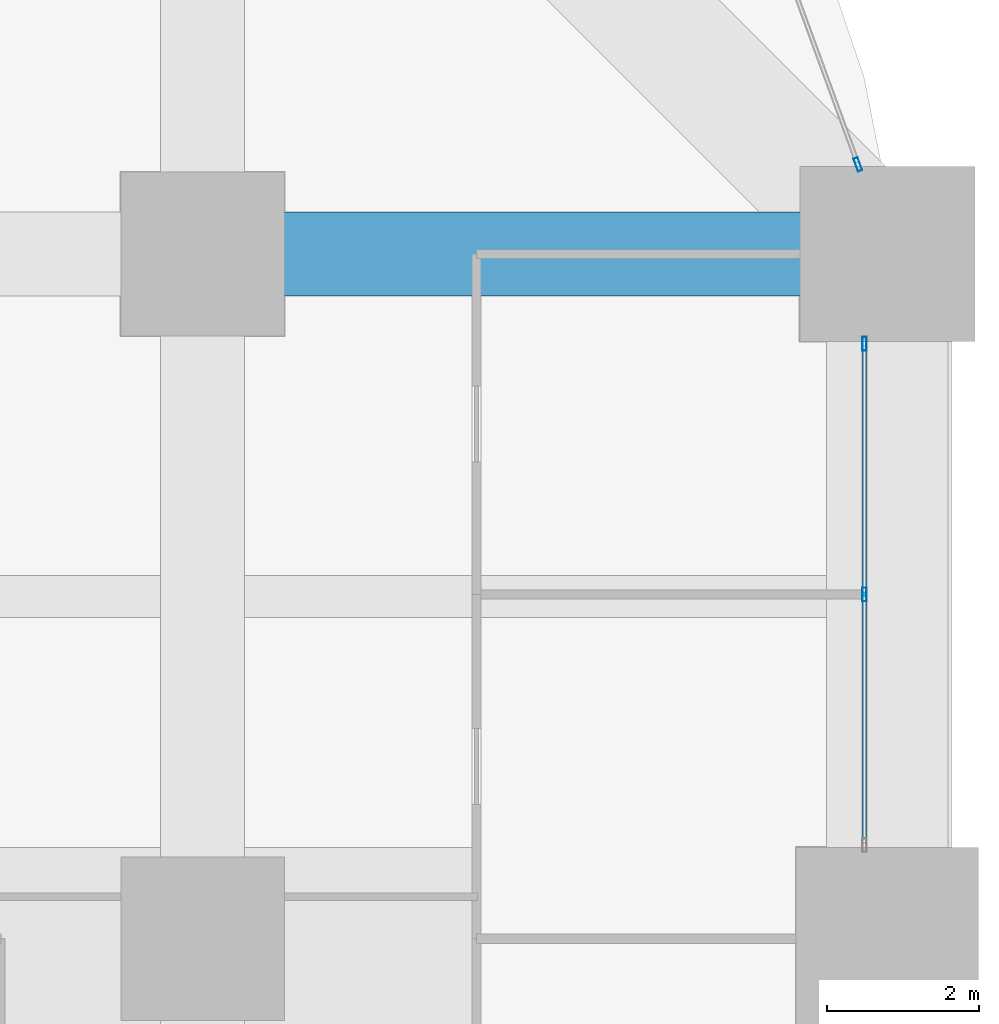
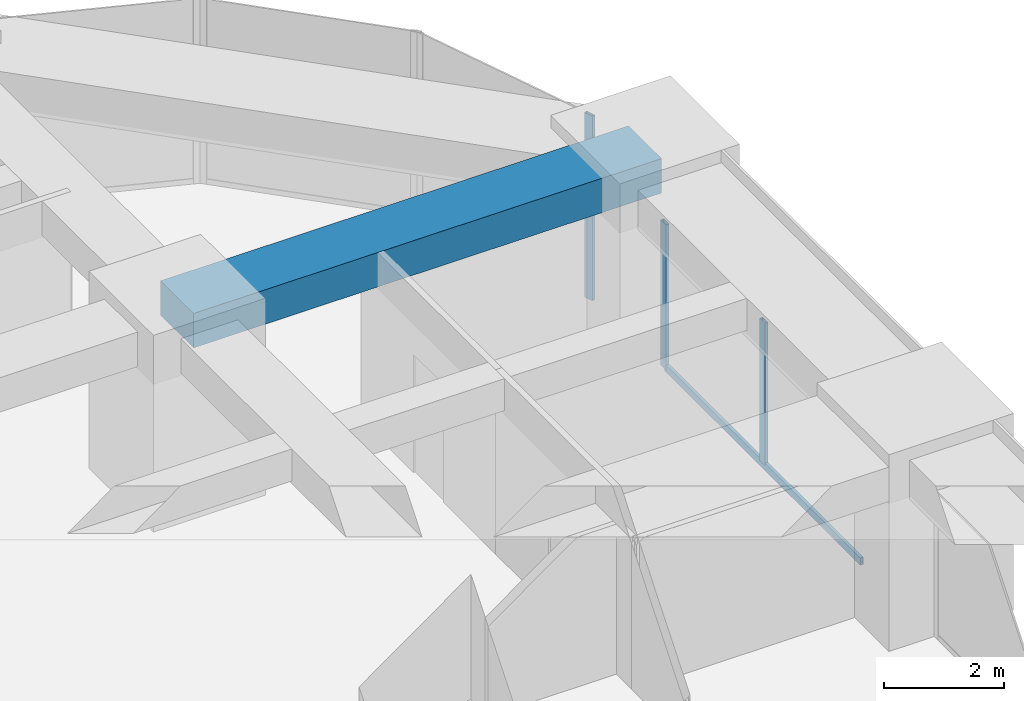
# One storey, part 33 of 45: 4 members, 1 beam, 2 elements without a shape of their own.
"""IFC4 building model written with IfcOpenShell, lengths in metres."""

from ifc_helpers import new_model, si_unit, direction, frame, origin, origin_2d, place, context, subcontext, project, spatial, rectangle, hollow_rectangle, extrude, material, material_profile, profile_set, type_object, element, aggregate, save


model = new_model("IFC4")

# Units and contexts
model_context = context("Model", 3, precision=1e-05, world=origin(), true_north=direction((0.0, 1.0)))
body_context = subcontext(model_context, "Body", "Model", "MODEL_VIEW")
ifc_project = project(units=[si_unit("LENGTHUNIT", "METRE"), si_unit("AREAUNIT", "SQUARE_METRE"), si_unit("VOLUMEUNIT", "CUBIC_METRE"), si_unit("PLANEANGLEUNIT", "RADIAN"), si_unit("MASSUNIT", "GRAM", prefix="KILO")], contexts=[model_context])

# Site, building, storey
site_placement = place(None, origin())
site = spatial("IfcSite", under=ifc_project, at=site_placement, CompositionType="ELEMENT")
building_placement = place(site_placement, origin())
building = spatial("IfcBuilding", under=site, at=building_placement, Name="Zorevar Civic Tower", CompositionType="ELEMENT")
storey_placement = place(building_placement, frame((0.0, 0.0, 71.800048828125)))
storey = spatial("IfcBuildingStorey", under=building, at=storey_placement, Name="L17", CompositionType="ELEMENT", Elevation=71.800048828125)

# Beam
ifc_material_1 = material(Name="Concrete C50/60", Category="concrete")
ifc_material_profile_1 = material_profile(ifc_material_1, rectangle(XDim=1.10009765625, YDim=0.699951171875, at=origin_2d()), Name="RC 1100x700")
ifc_profile_set_1 = profile_set([ifc_material_profile_1], Name="Concrete C50/60")
beam_type = type_object("IfcBeamType", Name="Beam RC 1100x700", PredefinedType="BEAM", material=ifc_profile_set_1)
beam_placement = place(storey_placement, frame((54.0, 45.0, 3.39990234375), z_axis=(1.0, 0.0, 0.0), x_axis=(0.0, 1.0, 0.0)))
element("IfcBeam", 1, at=beam_placement, inside=storey, type_object=beam_type, Name="Girder L18", PredefinedType="BEAM", context=body_context, shape_type="SweptSolid", body=[
    extrude(rectangle(XDim=1.10009765625, YDim=0.699951171875, at=origin_2d()), origin(), (0.0, 0.0, 1.0), 9.0),
])

# Curtain wall, members
ifc_material_2 = material(Name="Dark grey solar-control glass in black aluminium frame", Category="aluminium")
curtain_wall_type = type_object("IfcCurtainWallType", Name="Curtain wall CW2 low zone", PredefinedType="NOTDEFINED", material=ifc_material_2)
curtain_wall_1_placement = place(storey_placement, origin())
curtain_wall_1 = element("IfcCurtainWall", 2, at=curtain_wall_1_placement, inside=storey, type_object=curtain_wall_type, Name="CW2 L17", PredefinedType="NOTDEFINED")
ifc_material_3 = material(Name="Aluminium, black anodised", Category="aluminium")
ifc_material_profile_2 = material_profile(ifc_material_3, hollow_rectangle(XDim=0.06005859375, YDim=0.179931640625, WallThickness=0.00390625, at=origin_2d()), Name="AL 180x60x4")
ifc_profile_set_2 = profile_set([ifc_material_profile_2], Name="Aluminium, black anodised")
member_type_1 = type_object("IfcMemberType", Name="CW2 mullion AL 180x60x4", PredefinedType="MULLION", material=ifc_profile_set_2)
member_1_placement = place(storey_placement, frame((62.699951171875, 40.52490234375, 0.06005859375), z_axis=(0.0, 0.0, 1.0), x_axis=(-1.0, 0.0, 0.0)))
member_1 = element("IfcMember", 3, at=member_1_placement, type_object=member_type_1, Name="CW2 mullion 2", PredefinedType="MULLION", context=body_context, shape_type="SweptSolid", body=[
    extrude(hollow_rectangle(XDim=0.06005859375, YDim=0.179931640625, WallThickness=0.00390625, at=origin_2d()), origin(), (0.0, 0.0, 1.0), 2.889892578125),
])
member_2_placement = place(storey_placement, frame((62.699951171875, 43.820068359375, 0.0), z_axis=(0.0, 0.0, 1.0), x_axis=(-1.0, 0.0, 0.0)))
member_2 = element("IfcMember", 4, at=member_2_placement, type_object=member_type_1, Name="CW2 mullion 3", PredefinedType="MULLION", context=body_context, shape_type="SweptSolid", body=[
    extrude(hollow_rectangle(XDim=0.06005859375, YDim=0.179931640625, WallThickness=0.00390625, at=origin_2d()), origin(), (0.0, 0.0, 1.0), 2.949951171875),
])

# Curtain wall, member
curtain_wall_2_placement = place(storey_placement, origin())
curtain_wall_2 = element("IfcCurtainWall", 5, at=curtain_wall_2_placement, inside=storey, type_object=curtain_wall_type, Name="CW2 L17", PredefinedType="NOTDEFINED")
member_3_placement = place(storey_placement, frame((62.61328125, 46.17822265625, 0.0), z_axis=(0.0, 0.0, 1.0), x_axis=(-0.939313345732, -0.343060400701, 0.0)))
member_3 = element("IfcMember", 6, at=member_3_placement, type_object=member_type_1, Name="CW2 mullion 1", PredefinedType="MULLION", context=body_context, shape_type="SweptSolid", body=[
    extrude(hollow_rectangle(XDim=0.06005859375, YDim=0.179931640625, WallThickness=0.00390625, at=origin_2d()), origin(), (0.0, 0.0, 1.0), 3.75),
])
aggregate(curtain_wall_2, [member_3])

# Member
ifc_material_4 = material(Name="Aluminium, black anodised", Category="aluminium")
ifc_material_profile_3 = material_profile(ifc_material_4, hollow_rectangle(XDim=0.06005859375, YDim=0.14990234375, WallThickness=0.00390625, at=origin_2d()), Name="AL 150x60x4")
ifc_profile_set_3 = profile_set([ifc_material_profile_3], Name="Aluminium, black anodised")
member_type_2 = type_object("IfcMemberType", Name="CW2 transom AL 150x60x4", PredefinedType="USERDEFINED", material=ifc_profile_set_3)
member_4_placement = place(storey_placement, frame((62.699951171875, 37.260009765625, 0.030029296875), z_axis=(0.0, 1.0, 0.0), x_axis=(-1.0, 0.0, 0.0)))
member_4 = element("IfcMember", 7, at=member_4_placement, type_object=member_type_2, Name="CW2 sill transom", ObjectType="TRANSOM", PredefinedType="USERDEFINED", context=body_context, shape_type="SweptSolid", body=[
    extrude(hollow_rectangle(XDim=0.06005859375, YDim=0.14990234375, WallThickness=0.00390625, at=origin_2d()), origin(), (0.0, 0.0, 1.0), 6.530029296875),
])

aggregate(curtain_wall_1, [member_1, member_2, member_4])

save(model, "model.ifc")
